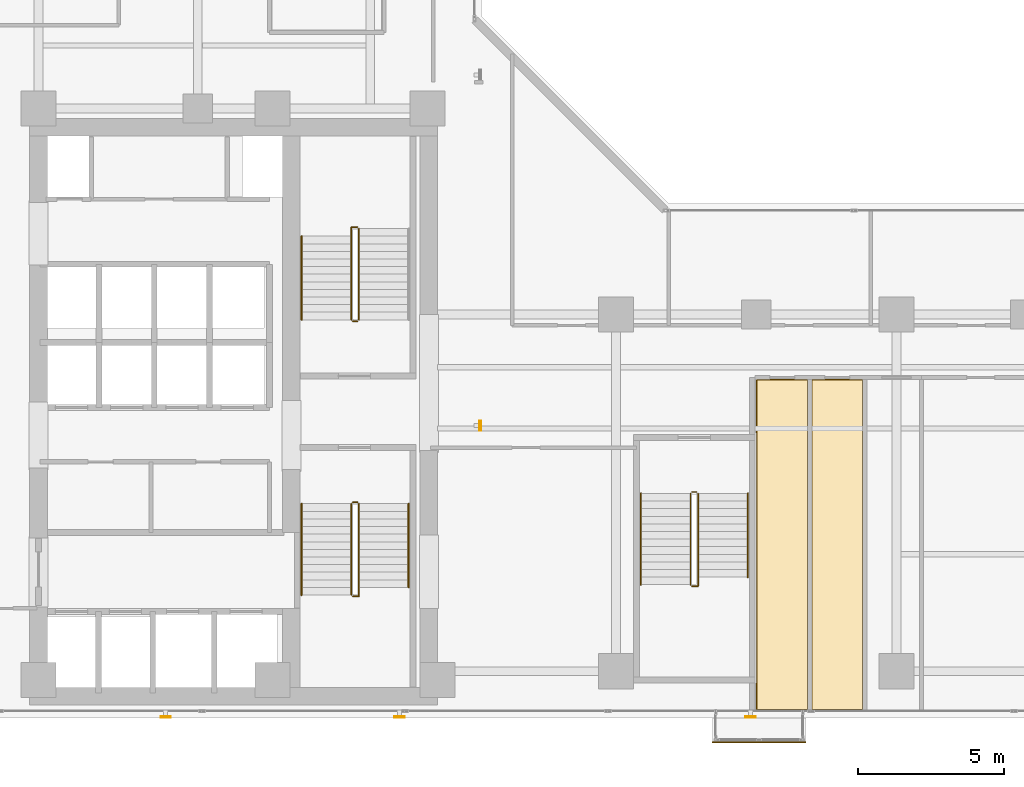
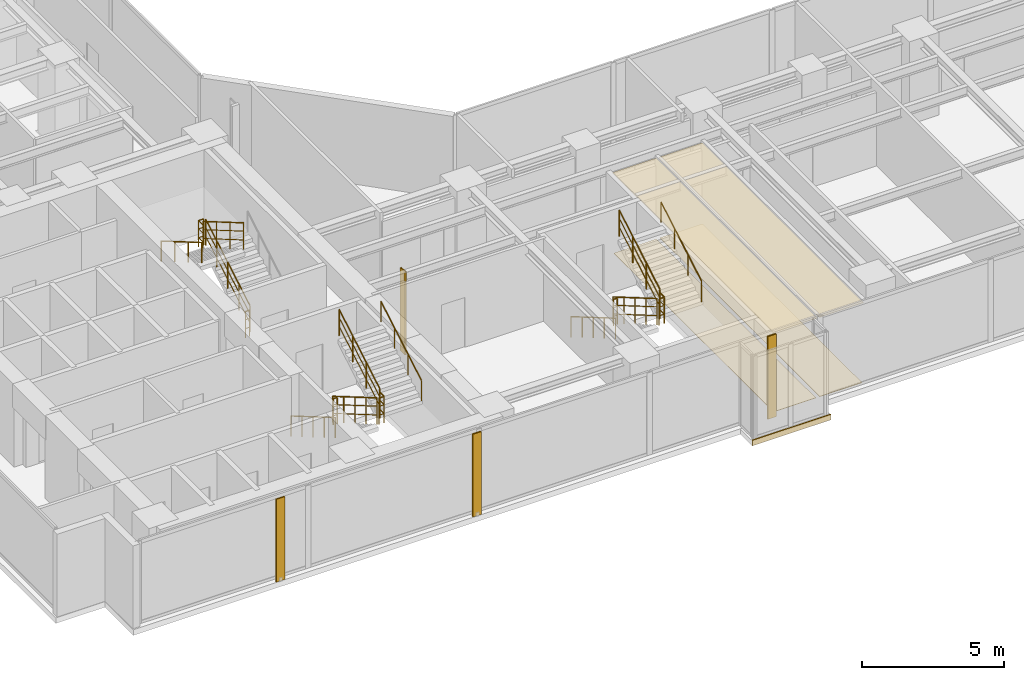
# One storey, part 22 of 23: 17 railings, 5 coverings, 4 shading devices.
"""IFC4 building model written with IfcOpenShell, lengths in metres."""

from ifc_helpers import new_model, si_unit, direction, frame, origin, origin_2d, place, context, subcontext, project, spatial, polyline, rectangle, hollow_rectangle, circle, outline, extrude, material, layer, layer_set, material_profile, profile_set, type_object, element, save


model = new_model("IFC4")

# Units and contexts
model_context = context("Model", 3, precision=1e-05, world=origin(), true_north=direction((0.0, 1.0)))
body_context = subcontext(model_context, "Body", "Model", "MODEL_VIEW")
ifc_project = project(units=[si_unit("LENGTHUNIT", "METRE"), si_unit("AREAUNIT", "SQUARE_METRE"), si_unit("VOLUMEUNIT", "CUBIC_METRE"), si_unit("PLANEANGLEUNIT", "RADIAN"), si_unit("MASSUNIT", "GRAM", prefix="KILO")], contexts=[model_context])

# Site, building, storey
site_placement = place(None, origin())
site = spatial("IfcSite", under=ifc_project, at=site_placement, CompositionType="ELEMENT")
building_placement = place(site_placement, origin())
building = spatial("IfcBuilding", under=site, at=building_placement, Name="Kolvaren Waterfront Exchange", CompositionType="ELEMENT")
storey_placement = place(building_placement, frame((0.0, 0.0, 188.0)))
storey = spatial("IfcBuildingStorey", under=building, at=storey_placement, Name="L48", CompositionType="ELEMENT", Elevation=188.0)

# Coverings
ifc_material_1 = material(Name="Mineral fibre acoustic ceiling tile")
ifc_layer_1 = layer(ifc_material_1, 0.02490234375, Name="Mineral fibre acoustic ceiling tile")
ifc_layer_set_1 = layer_set([ifc_layer_1], Name="Mineral fibre acoustic ceiling tile")
covering_type_1 = type_object("IfcCoveringType", Name="ARC-CEIL-ACOUSTIC-25", PredefinedType="CEILING", material=ifc_layer_set_1)
covering_1_placement = place(storey_placement, frame((0.0, 0.0, 3.445068359375)))
element("IfcCovering", 1, at=covering_1_placement, inside=storey, type_object=covering_type_1, Name="L48 acoustic suspended ceiling 2", PredefinedType="CEILING", context=body_context, shape_type="SweptSolid", body=[
    extrude(outline(polyline([(33.784912109375, 3.864990234375), (33.784912109375, 15.195068359375), (31.9951171875, 15.195068359375), (31.9951171875, 13.35009765625), (32.0, 13.35009765625), (32.0, 4.800048828125), (31.9951171875, 4.800048828125), (31.9951171875, 3.864990234375), (33.784912109375, 3.864990234375)])), origin(), (0.0, 0.0, 1.0), 0.02490234375),
])
covering_2_placement = place(storey_placement, frame((0.0, 0.0, 3.445068359375)))
element("IfcCovering", 2, at=covering_2_placement, inside=storey, type_object=covering_type_1, Name="L48 acoustic suspended ceiling 3", PredefinedType="CEILING", context=body_context, shape_type="SweptSolid", body=[
    extrude(outline(polyline([(35.6650390625, 3.864990234375), (35.6650390625, 15.195068359375), (33.875, 15.195068359375), (33.875, 3.864990234375), (35.6650390625, 3.864990234375)])), origin(), (0.0, 0.0, 1.0), 0.02490234375),
])
ifc_material_2 = material(Name="Anodised bronze fascia aluminium", Category="aluminium")
ifc_layer_2 = layer(ifc_material_2, 0.034912109375, Name="Anodised bronze fascia aluminium")
ifc_layer_set_2 = layer_set([ifc_layer_2], Name="Anodised bronze fascia aluminium")
covering_type_2 = type_object("IfcCoveringType", Name="ARC-CLAD-BRONZE-35", PredefinedType="CLADDING", material=ifc_layer_set_2)
covering_3_placement = place(storey_placement, frame((32.10009765625, 2.77001953125, -0.22021484375), z_axis=(0.0, 0.0, 1.0), x_axis=(1.0, 0.0, 0.0)))
element("IfcCovering", 3, at=covering_3_placement, inside=storey, type_object=covering_type_2, Name="L48 ribbed anodised bronze bay-box fascia", PredefinedType="CLADDING", context=body_context, shape_type="SweptSolid", body=[
    extrude(rectangle(XDim=3.199951171875, YDim=0.034912109375, at=origin_2d()), origin(), (0.0, 0.0, 1.0), 0.239990234375),
])

# Shading devices
ifc_material_3 = material(Name="Anodised bronze aluminium 6063-T6", Category="aluminium")
ifc_material_profile = material_profile(ifc_material_3, hollow_rectangle(XDim=0.06005859375, YDim=0.35009765625, WallThickness=0.0048828125, at=origin_2d()), Name="BRZ-FIN-350x60x5")
ifc_profile_set = profile_set([ifc_material_profile], Name="Anodised bronze aluminium 6063-T6")
shading_device_type = type_object("IfcShadingDeviceType", Name="ARC-FIN-350", PredefinedType="USERDEFINED", material=ifc_profile_set)
for number, where, z_axis, x_axis, name in (
    (4, (11.800048828125, 3.639892578125, 0.0), (0.0, 0.0, 1.0), (0.0, -1.0, 0.0), "L48 anodised bronze solar shading fin FIN-L48-S1"),
    (5, (19.800048828125, 3.639892578125, 0.0), (0.0, 0.0, 1.0), (0.0, -1.0, 0.0), "L48 anodised bronze solar shading fin FIN-L48-S2"),
    (6, (31.800048828125, 3.639892578125, 0.0), (0.0, 0.0, 1.0), (0.0, -1.0, 0.0), "L48 anodised bronze solar shading fin FIN-L48-S3"),
    (7, (22.56005859375, 13.60009765625, 0.0), (0.0, 0.0, 1.0), (1.0, 0.0, 0.0), "L48 anodised bronze solar shading fin FIN-L48-E1"),
):
    element("IfcShadingDevice", number, at=place(storey_placement, frame(where, z_axis=z_axis, x_axis=x_axis)), inside=storey, type_object=shading_device_type, Name=name, ObjectType="SOLAR FIN", PredefinedType="USERDEFINED", context=body_context, shape_type="SweptSolid", body=[
        extrude(hollow_rectangle(XDim=0.06005859375, YDim=0.35009765625, WallThickness=0.0048828125, at=origin_2d()), origin(), (0.0, 0.0, 1.0), 3.56005859375),
    ])

# Coverings
ifc_material_4 = material(Name="Slip-resistant porcelain tile")
ifc_layer_3 = layer(ifc_material_4, 0.014892578125, Name="Slip-resistant porcelain tile")
ifc_layer_set_3 = layer_set([ifc_layer_3], Name="Slip-resistant porcelain tile")
covering_type_3 = type_object("IfcCoveringType", Name="ARC-FLR-PORC-15", PredefinedType="FLOORING", material=ifc_layer_set_3)
covering_4_placement = place(storey_placement, origin())
element("IfcCovering", 8, at=covering_4_placement, inside=storey, type_object=covering_type_3, Name="L48 floor finish 2", PredefinedType="FLOORING", context=body_context, shape_type="SweptSolid", body=[
    extrude(outline(polyline([(32.030029296875, 15.159912109375), (32.030029296875, 3.89990234375), (33.75, 3.89990234375), (33.75, 15.159912109375), (32.030029296875, 15.159912109375)])), origin(), (0.0, 0.0, 1.0), 0.014892578125),
])
covering_5_placement = place(storey_placement, origin())
element("IfcCovering", 9, at=covering_5_placement, inside=storey, type_object=covering_type_3, Name="L48 floor finish 3", PredefinedType="FLOORING", context=body_context, shape_type="SweptSolid", body=[
    extrude(outline(polyline([(33.909912109375, 15.159912109375), (33.909912109375, 3.89990234375), (35.6298828125, 3.89990234375), (35.6298828125, 15.159912109375), (33.909912109375, 15.159912109375)])), origin(), (0.0, 0.0, 1.0), 0.014892578125),
])

# Railings
ifc_material_5 = material(Name="Stainless steel 316", Category="steel")
railing_type_1 = type_object("IfcRailingType", Name="ARC-GUARD-STAIR", PredefinedType="GUARDRAIL", material=ifc_material_5)
railing_1_placement = place(storey_placement, frame((18.14990234375, 10.929931640625, 0.152099609375)))
element("IfcRailing", 10, at=railing_1_placement, inside=storey, type_object=railing_type_1, Name="L48 ST1 stair guard 1", PredefinedType="GUARDRAIL", context=body_context, shape_type="SweptSolid", body=[
    extrude(circle(Radius=0.02392578125, at=origin_2d()), frame((0.0, 0.0, 1.1259765625), z_axis=(0.0, -0.86329090724, 0.504706656858), x_axis=(1.0, 0.0, 0.0)), (0.0, 0.0, 1.0), 3.614013671875),
    extrude(circle(Radius=0.01611328125, at=origin_2d()), frame((0.0, 0.0, 0.390869140625), z_axis=(0.0, -0.86329090724, 0.504706656858), x_axis=(1.0, 0.0, 0.0)), (0.0, 0.0, 1.0), 3.614013671875),
    extrude(circle(Radius=0.01611328125, at=origin_2d()), frame((0.0, 0.0, 0.7705078125), z_axis=(0.0, -0.86329090724, 0.504706656858), x_axis=(1.0, 0.0, 0.0)), (0.0, 0.0, 1.0), 3.614013671875),
    extrude(circle(Radius=0.02099609375, at=origin_2d()), origin(), (0.0, 0.0, 1.0), 1.101806640625),
    extrude(circle(Radius=0.02099609375, at=origin_2d()), frame((0.0, -0.780029296875, 0.4560546875)), (0.0, 0.0, 1.0), 1.101806640625),
    extrude(circle(Radius=0.02099609375, at=origin_2d()), frame((0.0, -1.56005859375, 0.912109375)), (0.0, 0.0, 1.0), 1.101806640625),
    extrude(circle(Radius=0.02099609375, at=origin_2d()), frame((0.0, -2.33984375, 1.367919921875)), (0.0, 0.0, 1.0), 1.101806640625),
    extrude(circle(Radius=0.02099609375, at=origin_2d()), frame((0.0, -3.119873046875, 1.823974609375)), (0.0, 0.0, 1.0), 1.101806640625),
])
railing_2_placement = place(storey_placement, frame((18.199951171875, 7.760009765625, 1.97607421875)))
element("IfcRailing", 11, at=railing_2_placement, inside=storey, type_object=railing_type_1, Name="L48 ST1 stair guard 2", PredefinedType="GUARDRAIL", context=body_context, shape_type="SweptSolid", body=[
    extrude(circle(Radius=0.02392578125, at=origin_2d()), frame((0.0, 0.0, 1.1259765625), z_axis=(1.0, 0.0, 0.0), x_axis=(0.0, 1.0, 0.0)), (0.0, 0.0, 1.0), 0.2099609375),
    extrude(circle(Radius=0.01611328125, at=origin_2d()), frame((0.0, 0.0, 0.390869140625), z_axis=(1.0, 0.0, 0.0), x_axis=(0.0, 1.0, 0.0)), (0.0, 0.0, 1.0), 0.2099609375),
    extrude(circle(Radius=0.01611328125, at=origin_2d()), frame((0.0, 0.0, 0.7705078125), z_axis=(1.0, 0.0, 0.0), x_axis=(0.0, 1.0, 0.0)), (0.0, 0.0, 1.0), 0.2099609375),
    extrude(circle(Radius=0.02392578125, at=origin_2d()), frame((0.2099609375, 0.0, 1.1259765625), z_axis=(0.0, 1.0, 0.0), x_axis=(-1.0, 0.0, 0.0)), (0.0, 0.0, 1.0), 0.31005859375),
    extrude(circle(Radius=0.01611328125, at=origin_2d()), frame((0.2099609375, 0.0, 0.390869140625), z_axis=(0.0, 1.0, 0.0), x_axis=(-1.0, 0.0, 0.0)), (0.0, 0.0, 1.0), 0.31005859375),
    extrude(circle(Radius=0.01611328125, at=origin_2d()), frame((0.2099609375, 0.0, 0.7705078125), z_axis=(0.0, 1.0, 0.0), x_axis=(-1.0, 0.0, 0.0)), (0.0, 0.0, 1.0), 0.31005859375),
    extrude(circle(Radius=0.02099609375, at=origin_2d()), origin(), (0.0, 0.0, 1.0), 1.101806640625),
    extrude(circle(Radius=0.02099609375, at=origin_2d()), frame((0.2099609375, 0.0, 0.0)), (0.0, 0.0, 1.0), 1.101806640625),
    extrude(circle(Radius=0.02099609375, at=origin_2d()), frame((0.2099609375, 0.31005859375, 0.0)), (0.0, 0.0, 1.0), 1.101806640625),
])
railing_3_placement = place(storey_placement, frame((18.409912109375, 8.070068359375, 2.1279296875)))
element("IfcRailing", 12, at=railing_3_placement, inside=storey, type_object=railing_type_1, Name="L48 ST1 stair guard 3", PredefinedType="GUARDRAIL", context=body_context, shape_type="SweptSolid", body=[
    extrude(circle(Radius=0.02392578125, at=origin_2d()), frame((0.0, 0.0, 1.1259765625), z_axis=(0.0, 0.863270611444, 0.50474137082), x_axis=(-1.0, 0.0, 0.0)), (0.0, 0.0, 1.0), 3.312744140625),
    extrude(circle(Radius=0.01611328125, at=origin_2d()), frame((0.0, 0.0, 0.390869140625), z_axis=(0.0, 0.863270611444, 0.50474137082), x_axis=(-1.0, 0.0, 0.0)), (0.0, 0.0, 1.0), 3.312744140625),
    extrude(circle(Radius=0.01611328125, at=origin_2d()), frame((0.0, 0.0, 0.7705078125), z_axis=(0.0, 0.863270611444, 0.50474137082), x_axis=(-1.0, 0.0, 0.0)), (0.0, 0.0, 1.0), 3.312744140625),
    extrude(circle(Radius=0.02099609375, at=origin_2d()), origin(), (0.0, 0.0, 1.0), 1.101806640625),
    extrude(circle(Radius=0.02099609375, at=origin_2d()), frame((0.0, 0.953369140625, 0.557373046875)), (0.0, 0.0, 1.0), 1.101806640625),
    extrude(circle(Radius=0.02099609375, at=origin_2d()), frame((0.0, 1.906494140625, 1.11474609375)), (0.0, 0.0, 1.0), 1.101806640625),
    extrude(circle(Radius=0.02099609375, at=origin_2d()), frame((0.0, 2.85986328125, 1.672119140625)), (0.0, 0.0, 1.0), 1.101806640625),
])
railing_4_placement = place(storey_placement, frame((18.199951171875, 10.97998046875, 0.0)))
element("IfcRailing", 13, at=railing_4_placement, inside=storey, type_object=railing_type_1, Name="L48 ST1 stair guard 4", PredefinedType="GUARDRAIL", context=body_context, shape_type="SweptSolid", body=[
    extrude(circle(Radius=0.02392578125, at=origin_2d()), frame((0.0, 0.0, 1.1259765625), z_axis=(1.0, 0.0, 0.0), x_axis=(0.0, 1.0, 0.0)), (0.0, 0.0, 1.0), 0.16015625),
    extrude(circle(Radius=0.01611328125, at=origin_2d()), frame((0.0, 0.0, 0.390869140625), z_axis=(1.0, 0.0, 0.0), x_axis=(0.0, 1.0, 0.0)), (0.0, 0.0, 1.0), 0.16015625),
    extrude(circle(Radius=0.01611328125, at=origin_2d()), frame((0.0, 0.0, 0.7705078125), z_axis=(1.0, 0.0, 0.0), x_axis=(0.0, 1.0, 0.0)), (0.0, 0.0, 1.0), 0.16015625),
    extrude(circle(Radius=0.02099609375, at=origin_2d()), origin(), (0.0, 0.0, 1.0), 1.101806640625),
    extrude(circle(Radius=0.02099609375, at=origin_2d()), frame((0.16015625, 0.0, 0.0)), (0.0, 0.0, 1.0), 1.101806640625),
])
railing_5_placement = place(storey_placement, frame((18.409912109375, 17.219970703125, 0.152099609375)))
element("IfcRailing", 14, at=railing_5_placement, inside=storey, type_object=railing_type_1, Name="L48 ST2 stair guard 1", PredefinedType="GUARDRAIL", context=body_context, shape_type="SweptSolid", body=[
    extrude(circle(Radius=0.02392578125, at=origin_2d()), frame((0.0, 0.0, 1.1259765625), z_axis=(0.0, 0.86330811405, 0.504677223793), x_axis=(-1.0, 0.0, 0.0)), (0.0, 0.0, 1.0), 3.6142578125),
    extrude(circle(Radius=0.01611328125, at=origin_2d()), frame((0.0, 0.0, 0.390869140625), z_axis=(0.0, 0.86330811405, 0.504677223793), x_axis=(-1.0, 0.0, 0.0)), (0.0, 0.0, 1.0), 3.6142578125),
    extrude(circle(Radius=0.01611328125, at=origin_2d()), frame((0.0, 0.0, 0.7705078125), z_axis=(0.0, 0.86330811405, 0.504677223793), x_axis=(-1.0, 0.0, 0.0)), (0.0, 0.0, 1.0), 3.6142578125),
    extrude(circle(Radius=0.02099609375, at=origin_2d()), origin(), (0.0, 0.0, 1.0), 1.101806640625),
    extrude(circle(Radius=0.02099609375, at=origin_2d()), frame((0.0, 0.780029296875, 0.4560546875)), (0.0, 0.0, 1.0), 1.101806640625),
    extrude(circle(Radius=0.02099609375, at=origin_2d()), frame((0.0, 1.56005859375, 0.912109375)), (0.0, 0.0, 1.0), 1.101806640625),
    extrude(circle(Radius=0.02099609375, at=origin_2d()), frame((0.0, 2.340087890625, 1.367919921875)), (0.0, 0.0, 1.0), 1.101806640625),
    extrude(circle(Radius=0.02099609375, at=origin_2d()), frame((0.0, 3.1201171875, 1.823974609375)), (0.0, 0.0, 1.0), 1.101806640625),
])
railing_6_placement = place(storey_placement, frame((18.360107421875, 20.389892578125, 1.97607421875)))
element("IfcRailing", 15, at=railing_6_placement, inside=storey, type_object=railing_type_1, Name="L48 ST2 stair guard 2", PredefinedType="GUARDRAIL", context=body_context, shape_type="SweptSolid", body=[
    extrude(circle(Radius=0.02392578125, at=origin_2d()), frame((0.0, 0.0, 1.1259765625), z_axis=(-1.0, 0.0, 0.0), x_axis=(0.0, -1.0, 0.0)), (0.0, 0.0, 1.0), 0.210205078125),
    extrude(circle(Radius=0.01611328125, at=origin_2d()), frame((0.0, 0.0, 0.390869140625), z_axis=(-1.0, 0.0, 0.0), x_axis=(0.0, -1.0, 0.0)), (0.0, 0.0, 1.0), 0.210205078125),
    extrude(circle(Radius=0.01611328125, at=origin_2d()), frame((0.0, 0.0, 0.7705078125), z_axis=(-1.0, 0.0, 0.0), x_axis=(0.0, -1.0, 0.0)), (0.0, 0.0, 1.0), 0.210205078125),
    extrude(circle(Radius=0.02392578125, at=origin_2d()), frame((-0.210205078125, 0.0, 1.1259765625), z_axis=(0.0, -1.0, 0.0), x_axis=(1.0, 0.0, 0.0)), (0.0, 0.0, 1.0), 0.309814453125),
    extrude(circle(Radius=0.01611328125, at=origin_2d()), frame((-0.210205078125, 0.0, 0.390869140625), z_axis=(0.0, -1.0, 0.0), x_axis=(1.0, 0.0, 0.0)), (0.0, 0.0, 1.0), 0.309814453125),
    extrude(circle(Radius=0.01611328125, at=origin_2d()), frame((-0.210205078125, 0.0, 0.7705078125), z_axis=(0.0, -1.0, 0.0), x_axis=(1.0, 0.0, 0.0)), (0.0, 0.0, 1.0), 0.309814453125),
    extrude(circle(Radius=0.02099609375, at=origin_2d()), origin(), (0.0, 0.0, 1.0), 1.101806640625),
    extrude(circle(Radius=0.02099609375, at=origin_2d()), frame((-0.210205078125, 0.0, 0.0)), (0.0, 0.0, 1.0), 1.101806640625),
    extrude(circle(Radius=0.02099609375, at=origin_2d()), frame((-0.210205078125, -0.309814453125, 0.0)), (0.0, 0.0, 1.0), 1.101806640625),
])
railing_7_placement = place(storey_placement, frame((18.14990234375, 20.080078125, 2.1279296875)))
element("IfcRailing", 16, at=railing_7_placement, inside=storey, type_object=railing_type_1, Name="L48 ST2 stair guard 3", PredefinedType="GUARDRAIL", context=body_context, shape_type="SweptSolid", body=[
    extrude(circle(Radius=0.02392578125, at=origin_2d()), frame((0.0, 0.0, 1.1259765625), z_axis=(0.0, -0.863289384635, 0.504709261235), x_axis=(1.0, 0.0, 0.0)), (0.0, 0.0, 1.0), 3.31298828125),
    extrude(circle(Radius=0.01611328125, at=origin_2d()), frame((0.0, 0.0, 0.390869140625), z_axis=(0.0, -0.863289384635, 0.504709261235), x_axis=(1.0, 0.0, 0.0)), (0.0, 0.0, 1.0), 3.31298828125),
    extrude(circle(Radius=0.01611328125, at=origin_2d()), frame((0.0, 0.0, 0.7705078125), z_axis=(0.0, -0.863289384635, 0.504709261235), x_axis=(1.0, 0.0, 0.0)), (0.0, 0.0, 1.0), 3.31298828125),
    extrude(circle(Radius=0.02099609375, at=origin_2d()), origin(), (0.0, 0.0, 1.0), 1.101806640625),
    extrude(circle(Radius=0.02099609375, at=origin_2d()), frame((0.0, -0.953369140625, 0.557373046875)), (0.0, 0.0, 1.0), 1.101806640625),
    extrude(circle(Radius=0.02099609375, at=origin_2d()), frame((0.0, -1.90673828125, 1.11474609375)), (0.0, 0.0, 1.0), 1.101806640625),
    extrude(circle(Radius=0.02099609375, at=origin_2d()), frame((0.0, -2.860107421875, 1.672119140625)), (0.0, 0.0, 1.0), 1.101806640625),
])
railing_8_placement = place(storey_placement, frame((18.360107421875, 17.169921875, 0.0)))
element("IfcRailing", 17, at=railing_8_placement, inside=storey, type_object=railing_type_1, Name="L48 ST2 stair guard 4", PredefinedType="GUARDRAIL", context=body_context, shape_type="SweptSolid", body=[
    extrude(circle(Radius=0.02392578125, at=origin_2d()), frame((0.0, 0.0, 1.1259765625), z_axis=(-1.0, 0.0, 0.0), x_axis=(0.0, -1.0, 0.0)), (0.0, 0.0, 1.0), 0.16015625),
    extrude(circle(Radius=0.01611328125, at=origin_2d()), frame((0.0, 0.0, 0.390869140625), z_axis=(-1.0, 0.0, 0.0), x_axis=(0.0, -1.0, 0.0)), (0.0, 0.0, 1.0), 0.16015625),
    extrude(circle(Radius=0.01611328125, at=origin_2d()), frame((0.0, 0.0, 0.7705078125), z_axis=(-1.0, 0.0, 0.0), x_axis=(0.0, -1.0, 0.0)), (0.0, 0.0, 1.0), 0.16015625),
    extrude(circle(Radius=0.02099609375, at=origin_2d()), origin(), (0.0, 0.0, 1.0), 1.101806640625),
    extrude(circle(Radius=0.02099609375, at=origin_2d()), frame((-0.16015625, 0.0, 0.0)), (0.0, 0.0, 1.0), 1.101806640625),
])
railing_9_placement = place(storey_placement, frame((29.75, 11.280029296875, 0.152099609375)))
element("IfcRailing", 18, at=railing_9_placement, inside=storey, type_object=railing_type_1, Name="L48 ST3 stair guard 1", PredefinedType="GUARDRAIL", context=body_context, shape_type="SweptSolid", body=[
    extrude(circle(Radius=0.02392578125, at=origin_2d()), frame((0.0, 0.0, 1.1259765625), z_axis=(0.0, -0.86330811405, 0.504677223793), x_axis=(1.0, 0.0, 0.0)), (0.0, 0.0, 1.0), 3.6142578125),
    extrude(circle(Radius=0.01611328125, at=origin_2d()), frame((0.0, 0.0, 0.390869140625), z_axis=(0.0, -0.86330811405, 0.504677223793), x_axis=(1.0, 0.0, 0.0)), (0.0, 0.0, 1.0), 3.6142578125),
    extrude(circle(Radius=0.01611328125, at=origin_2d()), frame((0.0, 0.0, 0.7705078125), z_axis=(0.0, -0.86330811405, 0.504677223793), x_axis=(1.0, 0.0, 0.0)), (0.0, 0.0, 1.0), 3.6142578125),
    extrude(circle(Radius=0.02099609375, at=origin_2d()), origin(), (0.0, 0.0, 1.0), 1.101806640625),
    extrude(circle(Radius=0.02099609375, at=origin_2d()), frame((0.0, -0.780029296875, 0.4560546875)), (0.0, 0.0, 1.0), 1.101806640625),
    extrude(circle(Radius=0.02099609375, at=origin_2d()), frame((0.0, -1.56005859375, 0.912109375)), (0.0, 0.0, 1.0), 1.101806640625),
    extrude(circle(Radius=0.02099609375, at=origin_2d()), frame((0.0, -2.340087890625, 1.367919921875)), (0.0, 0.0, 1.0), 1.101806640625),
    extrude(circle(Radius=0.02099609375, at=origin_2d()), frame((0.0, -3.1201171875, 1.823974609375)), (0.0, 0.0, 1.0), 1.101806640625),
])
railing_10_placement = place(storey_placement, frame((29.800048828125, 8.110107421875, 1.97607421875)))
element("IfcRailing", 19, at=railing_10_placement, inside=storey, type_object=railing_type_1, Name="L48 ST3 stair guard 2", PredefinedType="GUARDRAIL", context=body_context, shape_type="SweptSolid", body=[
    extrude(circle(Radius=0.02392578125, at=origin_2d()), frame((0.0, 0.0, 1.1259765625), z_axis=(1.0, 0.0, 0.0), x_axis=(0.0, 1.0, 0.0)), (0.0, 0.0, 1.0), 0.2099609375),
    extrude(circle(Radius=0.01611328125, at=origin_2d()), frame((0.0, 0.0, 0.390869140625), z_axis=(1.0, 0.0, 0.0), x_axis=(0.0, 1.0, 0.0)), (0.0, 0.0, 1.0), 0.2099609375),
    extrude(circle(Radius=0.01611328125, at=origin_2d()), frame((0.0, 0.0, 0.7705078125), z_axis=(1.0, 0.0, 0.0), x_axis=(0.0, 1.0, 0.0)), (0.0, 0.0, 1.0), 0.2099609375),
    extrude(circle(Radius=0.02392578125, at=origin_2d()), frame((0.2099609375, 0.0, 1.1259765625), z_axis=(0.0, 1.0, 0.0), x_axis=(-1.0, 0.0, 0.0)), (0.0, 0.0, 1.0), 0.309814453125),
    extrude(circle(Radius=0.01611328125, at=origin_2d()), frame((0.2099609375, 0.0, 0.390869140625), z_axis=(0.0, 1.0, 0.0), x_axis=(-1.0, 0.0, 0.0)), (0.0, 0.0, 1.0), 0.309814453125),
    extrude(circle(Radius=0.01611328125, at=origin_2d()), frame((0.2099609375, 0.0, 0.7705078125), z_axis=(0.0, 1.0, 0.0), x_axis=(-1.0, 0.0, 0.0)), (0.0, 0.0, 1.0), 0.309814453125),
    extrude(circle(Radius=0.02099609375, at=origin_2d()), origin(), (0.0, 0.0, 1.0), 1.101806640625),
    extrude(circle(Radius=0.02099609375, at=origin_2d()), frame((0.2099609375, 0.0, 0.0)), (0.0, 0.0, 1.0), 1.101806640625),
    extrude(circle(Radius=0.02099609375, at=origin_2d()), frame((0.2099609375, 0.309814453125, 0.0)), (0.0, 0.0, 1.0), 1.101806640625),
])
railing_11_placement = place(storey_placement, frame((30.010009765625, 8.419921875, 2.1279296875)))
element("IfcRailing", 20, at=railing_11_placement, inside=storey, type_object=railing_type_1, Name="L48 ST3 stair guard 3", PredefinedType="GUARDRAIL", context=body_context, shape_type="SweptSolid", body=[
    extrude(circle(Radius=0.02392578125, at=origin_2d()), frame((0.0, 0.0, 1.1259765625), z_axis=(0.0, 0.863289384635, 0.504709261235), x_axis=(-1.0, 0.0, 0.0)), (0.0, 0.0, 1.0), 3.31298828125),
    extrude(circle(Radius=0.01611328125, at=origin_2d()), frame((0.0, 0.0, 0.390869140625), z_axis=(0.0, 0.863289384635, 0.504709261235), x_axis=(-1.0, 0.0, 0.0)), (0.0, 0.0, 1.0), 3.31298828125),
    extrude(circle(Radius=0.01611328125, at=origin_2d()), frame((0.0, 0.0, 0.7705078125), z_axis=(0.0, 0.863289384635, 0.504709261235), x_axis=(-1.0, 0.0, 0.0)), (0.0, 0.0, 1.0), 3.31298828125),
    extrude(circle(Radius=0.02099609375, at=origin_2d()), origin(), (0.0, 0.0, 1.0), 1.101806640625),
    extrude(circle(Radius=0.02099609375, at=origin_2d()), frame((0.0, 0.953369140625, 0.557373046875)), (0.0, 0.0, 1.0), 1.101806640625),
    extrude(circle(Radius=0.02099609375, at=origin_2d()), frame((0.0, 1.90673828125, 1.11474609375)), (0.0, 0.0, 1.0), 1.101806640625),
    extrude(circle(Radius=0.02099609375, at=origin_2d()), frame((0.0, 2.860107421875, 1.672119140625)), (0.0, 0.0, 1.0), 1.101806640625),
])
railing_12_placement = place(storey_placement, frame((29.800048828125, 11.330078125, 0.0)))
element("IfcRailing", 21, at=railing_12_placement, inside=storey, type_object=railing_type_1, Name="L48 ST3 stair guard 4", PredefinedType="GUARDRAIL", context=body_context, shape_type="SweptSolid", body=[
    extrude(circle(Radius=0.02392578125, at=origin_2d()), frame((0.0, 0.0, 1.1259765625), z_axis=(1.0, 0.0, 0.0), x_axis=(0.0, 1.0, 0.0)), (0.0, 0.0, 1.0), 0.159912109375),
    extrude(circle(Radius=0.01611328125, at=origin_2d()), frame((0.0, 0.0, 0.390869140625), z_axis=(1.0, 0.0, 0.0), x_axis=(0.0, 1.0, 0.0)), (0.0, 0.0, 1.0), 0.159912109375),
    extrude(circle(Radius=0.01611328125, at=origin_2d()), frame((0.0, 0.0, 0.7705078125), z_axis=(1.0, 0.0, 0.0), x_axis=(0.0, 1.0, 0.0)), (0.0, 0.0, 1.0), 0.159912109375),
    extrude(circle(Radius=0.02099609375, at=origin_2d()), origin(), (0.0, 0.0, 1.0), 1.101806640625),
    extrude(circle(Radius=0.02099609375, at=origin_2d()), frame((0.159912109375, 0.0, 0.0)), (0.0, 0.0, 1.0), 1.101806640625),
])
railing_type_2 = type_object("IfcRailingType", Name="ARC-HANDRAIL-900", PredefinedType="HANDRAIL", material=ifc_material_5)
railing_13_placement = place(storey_placement, frame((16.449951171875, 10.929931640625, 0.152099609375)))
element("IfcRailing", 22, at=railing_13_placement, inside=storey, type_object=railing_type_2, Name="L48 ST1 stair handrail 1", PredefinedType="HANDRAIL", context=body_context, shape_type="SweptSolid", body=[
    extrude(circle(Radius=0.02392578125, at=origin_2d()), frame((0.0, 0.0, 0.8759765625), z_axis=(0.0, -0.86329090724, 0.504706656858), x_axis=(1.0, 0.0, 0.0)), (0.0, 0.0, 1.0), 3.614013671875),
    extrude(circle(Radius=0.02099609375, at=origin_2d()), origin(), (0.0, 0.0, 1.0), 0.851806640625),
    extrude(circle(Radius=0.02099609375, at=origin_2d()), frame((0.0, -0.780029296875, 0.4560546875)), (0.0, 0.0, 1.0), 0.851806640625),
    extrude(circle(Radius=0.02099609375, at=origin_2d()), frame((0.0, -1.56005859375, 0.912109375)), (0.0, 0.0, 1.0), 0.851806640625),
    extrude(circle(Radius=0.02099609375, at=origin_2d()), frame((0.0, -2.33984375, 1.367919921875)), (0.0, 0.0, 1.0), 0.851806640625),
    extrude(circle(Radius=0.02099609375, at=origin_2d()), frame((0.0, -3.119873046875, 1.823974609375)), (0.0, 0.0, 1.0), 0.851806640625),
])
railing_14_placement = place(storey_placement, frame((20.110107421875, 8.070068359375, 2.1279296875)))
element("IfcRailing", 23, at=railing_14_placement, inside=storey, type_object=railing_type_2, Name="L48 ST1 stair handrail 2", PredefinedType="HANDRAIL", context=body_context, shape_type="SweptSolid", body=[
    extrude(circle(Radius=0.02392578125, at=origin_2d()), frame((0.0, 0.0, 0.8759765625), z_axis=(0.0, 0.863270611444, 0.50474137082), x_axis=(-1.0, 0.0, 0.0)), (0.0, 0.0, 1.0), 3.312744140625),
    extrude(circle(Radius=0.02099609375, at=origin_2d()), origin(), (0.0, 0.0, 1.0), 0.851806640625),
    extrude(circle(Radius=0.02099609375, at=origin_2d()), frame((0.0, 0.953369140625, 0.557373046875)), (0.0, 0.0, 1.0), 0.851806640625),
    extrude(circle(Radius=0.02099609375, at=origin_2d()), frame((0.0, 1.906494140625, 1.11474609375)), (0.0, 0.0, 1.0), 0.851806640625),
    extrude(circle(Radius=0.02099609375, at=origin_2d()), frame((0.0, 2.85986328125, 1.672119140625)), (0.0, 0.0, 1.0), 0.851806640625),
])
railing_15_placement = place(storey_placement, frame((16.449951171875, 20.080078125, 2.1279296875)))
element("IfcRailing", 24, at=railing_15_placement, inside=storey, type_object=railing_type_2, Name="L48 ST2 stair handrail 2", PredefinedType="HANDRAIL", context=body_context, shape_type="SweptSolid", body=[
    extrude(circle(Radius=0.02392578125, at=origin_2d()), frame((0.0, 0.0, 0.8759765625), z_axis=(0.0, -0.863289384635, 0.504709261235), x_axis=(1.0, 0.0, 0.0)), (0.0, 0.0, 1.0), 3.31298828125),
    extrude(circle(Radius=0.02099609375, at=origin_2d()), origin(), (0.0, 0.0, 1.0), 0.851806640625),
    extrude(circle(Radius=0.02099609375, at=origin_2d()), frame((0.0, -0.953369140625, 0.557373046875)), (0.0, 0.0, 1.0), 0.851806640625),
    extrude(circle(Radius=0.02099609375, at=origin_2d()), frame((0.0, -1.90673828125, 1.11474609375)), (0.0, 0.0, 1.0), 0.851806640625),
    extrude(circle(Radius=0.02099609375, at=origin_2d()), frame((0.0, -2.860107421875, 1.672119140625)), (0.0, 0.0, 1.0), 0.851806640625),
])
railing_16_placement = place(storey_placement, frame((28.050048828125, 11.280029296875, 0.152099609375)))
element("IfcRailing", 25, at=railing_16_placement, inside=storey, type_object=railing_type_2, Name="L48 ST3 stair handrail 1", PredefinedType="HANDRAIL", context=body_context, shape_type="SweptSolid", body=[
    extrude(circle(Radius=0.02392578125, at=origin_2d()), frame((0.0, 0.0, 0.8759765625), z_axis=(0.0, -0.86330811405, 0.504677223793), x_axis=(1.0, 0.0, 0.0)), (0.0, 0.0, 1.0), 3.6142578125),
    extrude(circle(Radius=0.02099609375, at=origin_2d()), origin(), (0.0, 0.0, 1.0), 0.851806640625),
    extrude(circle(Radius=0.02099609375, at=origin_2d()), frame((0.0, -0.780029296875, 0.4560546875)), (0.0, 0.0, 1.0), 0.851806640625),
    extrude(circle(Radius=0.02099609375, at=origin_2d()), frame((0.0, -1.56005859375, 0.912109375)), (0.0, 0.0, 1.0), 0.851806640625),
    extrude(circle(Radius=0.02099609375, at=origin_2d()), frame((0.0, -2.340087890625, 1.367919921875)), (0.0, 0.0, 1.0), 0.851806640625),
    extrude(circle(Radius=0.02099609375, at=origin_2d()), frame((0.0, -3.1201171875, 1.823974609375)), (0.0, 0.0, 1.0), 0.851806640625),
])
railing_17_placement = place(storey_placement, frame((31.7099609375, 8.419921875, 2.1279296875)))
element("IfcRailing", 26, at=railing_17_placement, inside=storey, type_object=railing_type_2, Name="L48 ST3 stair handrail 2", PredefinedType="HANDRAIL", context=body_context, shape_type="SweptSolid", body=[
    extrude(circle(Radius=0.02392578125, at=origin_2d()), frame((0.0, 0.0, 0.8759765625), z_axis=(0.0, 0.863289384635, 0.504709261235), x_axis=(-1.0, 0.0, 0.0)), (0.0, 0.0, 1.0), 3.31298828125),
    extrude(circle(Radius=0.02099609375, at=origin_2d()), origin(), (0.0, 0.0, 1.0), 0.851806640625),
    extrude(circle(Radius=0.02099609375, at=origin_2d()), frame((0.0, 0.953369140625, 0.557373046875)), (0.0, 0.0, 1.0), 0.851806640625),
    extrude(circle(Radius=0.02099609375, at=origin_2d()), frame((0.0, 1.90673828125, 1.11474609375)), (0.0, 0.0, 1.0), 0.851806640625),
    extrude(circle(Radius=0.02099609375, at=origin_2d()), frame((0.0, 2.860107421875, 1.672119140625)), (0.0, 0.0, 1.0), 0.851806640625),
])

save(model, "model.ifc")
